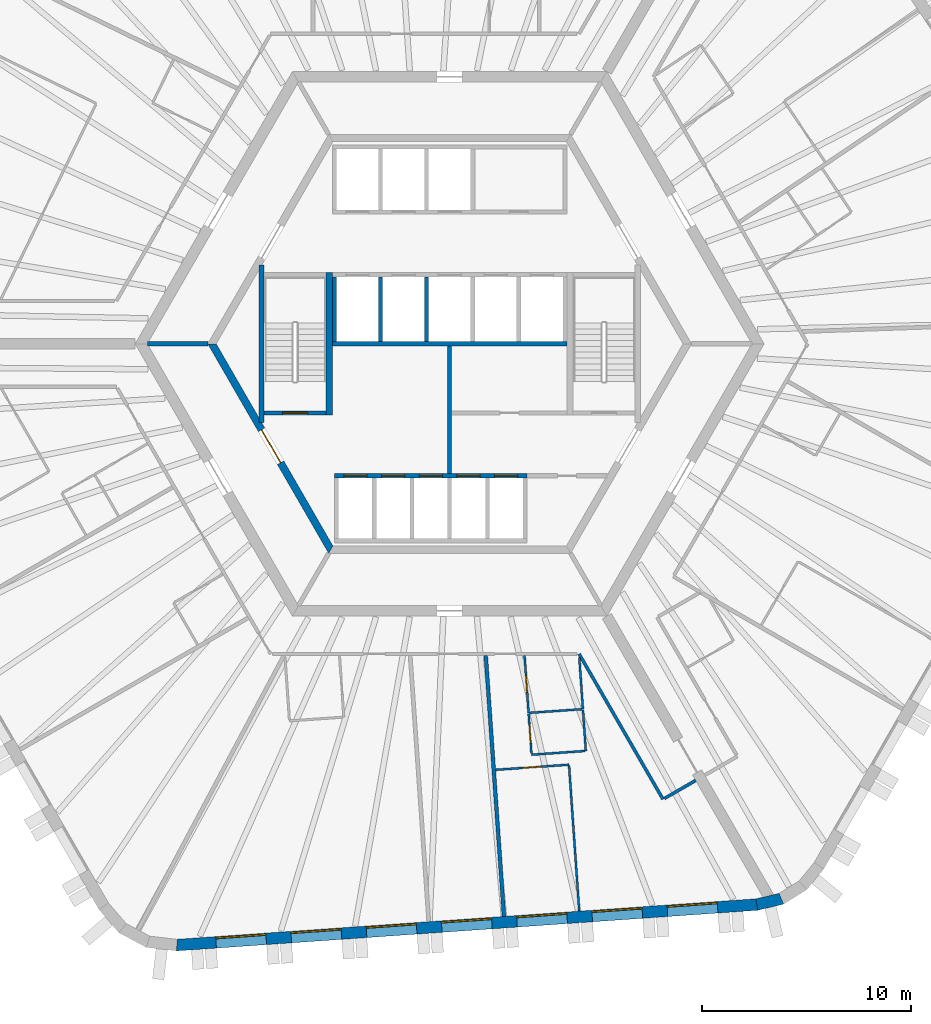
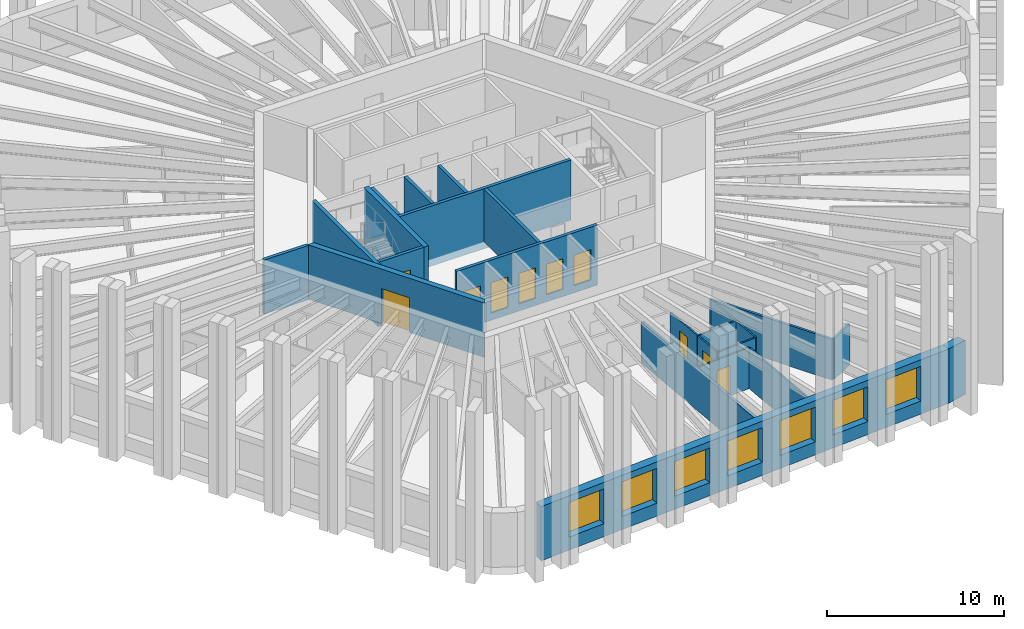
# One storey, part 4 of 10: 24 walls, 10 doors, 7 windows, 17 openings.
"""IFC4 building model written with IfcOpenShell, lengths in metres."""

import ifcopenshell
import ifcopenshell.guid

model = None  # the IFC model being written
_history = None  # IfcOwnerHistory: only IFC2X3 demands one
_inside = {}  # id of a spatial element -> (the spatial element, [elements in it])
_under = {}  # id of a project, library or spatial element -> (it, [spatial elements below it])
_declared = {}  # id of a project -> (the project, [libraries it declares])
_typed = {}  # id of a type object -> (the type object, [elements of that type])
_made_of = {}  # id of a material, layer set ... -> (it, [elements and type objects made of it])


def new_model(schema):
    """Start an empty IFC model of exactly this schema.

    Asked for "IFC4X3", IfcOpenShell would pick the latest addendum, in which some entities
    have other attributes; the version numbers below select the first issue.
    IFC2X3 requires an IfcOwnerHistory on every rooted entity: one is made here for all.
    """
    global model, _history
    if schema == "IFC4X3":
        model = ifcopenshell.file(schema_version=(4, 3, 0, 0))
    else:
        model = ifcopenshell.file(schema=schema)
    _inside.clear()
    _under.clear()
    _declared.clear()
    _typed.clear()
    _made_of.clear()
    _history = None
    if model.schema == "IFC2X3":
        org = make("IfcOrganization", Name="unknown")
        user = make(
            "IfcPersonAndOrganization",
            ThePerson=make("IfcPerson", FamilyName="unknown"),
            TheOrganization=org,
        )
        app = make(
            "IfcApplication",
            ApplicationDeveloper=org,
            Version="unknown",
            ApplicationFullName="unknown",
            ApplicationIdentifier="unknown",
        )
        _history = make(
            "IfcOwnerHistory",
            OwningUser=user,
            OwningApplication=app,
            ChangeAction="ADDED",
            CreationDate=0,
        )
    return model


def make(cls, **values):
    """One entity of the class cls with the attributes given. An attribute that is None is left unset."""
    return model.create_entity(
        cls, **{name: value for name, value in values.items() if value is not None}
    )


def rooted(cls, **values):
    """An entity with a GlobalId (a new one), such as an element, a storey or a relation."""
    return make(cls, GlobalId=ifcopenshell.guid.new(), OwnerHistory=_history, **values)


def si_unit(unit_type, name, prefix=None):
    """IfcSIUnit, for example si_unit("LENGTHUNIT", "METRE", prefix="MILLI")."""
    return make("IfcSIUnit", UnitType=unit_type, Prefix=prefix, Name=name)


def assignment(units):
    """IfcUnitAssignment: the units of a project."""
    return None if units is None else make("IfcUnitAssignment", Units=units)


def point(xyz):
    """IfcCartesianPoint."""
    return None if xyz is None else make("IfcCartesianPoint", Coordinates=xyz)


def direction(xyz):
    """IfcDirection."""
    return None if xyz is None else make("IfcDirection", DirectionRatios=xyz)


def frame(location, z_axis=None, x_axis=None):
    """IfcAxis2Placement3D, a coordinate frame: its origin and axes. An axis left out is left unset."""
    return make(
        "IfcAxis2Placement3D",
        Location=point(location),
        Axis=direction(z_axis),
        RefDirection=direction(x_axis),
    )


def frame_2d(location, x_axis=None):
    """IfcAxis2Placement2D, a coordinate frame in the plane: its origin and x axis."""
    return make(
        "IfcAxis2Placement2D", Location=point(location), RefDirection=direction(x_axis)
    )


def origin():
    """The frame at (0, 0, 0) with its axes left unset."""
    return frame((0.0, 0.0, 0.0))


def place(relative_to, where):
    """IfcLocalPlacement: puts the frame where relative to a parent placement (None: the world)."""
    return make(
        "IfcLocalPlacement", PlacementRelTo=relative_to, RelativePlacement=where
    )


def context(
    kind, dimensions, precision=None, world=None, true_north=None, identifier=None
):
    """IfcGeometricRepresentationContext, for example the 3D "Model" context."""
    return make(
        "IfcGeometricRepresentationContext",
        ContextIdentifier=identifier,
        ContextType=kind,
        CoordinateSpaceDimension=dimensions,
        Precision=precision,
        WorldCoordinateSystem=world,
        TrueNorth=true_north,
    )


def subcontext(parent, identifier, kind, view, scale=None):
    """IfcGeometricRepresentationSubContext, for example "Body" below "Model"."""
    return make(
        "IfcGeometricRepresentationSubContext",
        ContextIdentifier=identifier,
        ContextType=kind,
        ParentContext=parent,
        TargetScale=scale,
        TargetView=view,
    )


def project(units=None, contexts=None):
    """IfcProject with its units and contexts."""
    return rooted(
        "IfcProject",
        Name="project",
        RepresentationContexts=contexts,
        UnitsInContext=assignment(units),
    )


def spatial(cls, under=None, at=None, **own):
    """A site, building, storey or space (cls), placed at a placement, below another one or the project."""
    s = rooted(cls, ObjectPlacement=at, **own)
    if under is not None:
        _under.setdefault(under.id(), (under, []))[1].append(s)
    return s


def polyline(points):
    """IfcPolyline through the points."""
    return make("IfcPolyline", Points=[point(p) for p in points])


def profile(cls, at=None, kind="AREA", **sizes):
    """A parametric profile (cls). Its sizes go by their IFC names, for example OverallWidth=200.0."""
    return make(cls, ProfileType=kind, Position=at, **sizes)


def rectangle(**sizes):
    """IfcRectangleProfileDef."""
    return profile("IfcRectangleProfileDef", **sizes)


def outline(outer, holes=None, kind="AREA"):
    """IfcArbitraryClosedProfileDef: a profile drawn as a closed curve; with holes, ...WithVoids."""
    if holes is None:
        return make("IfcArbitraryClosedProfileDef", ProfileType=kind, OuterCurve=outer)
    return make(
        "IfcArbitraryProfileDefWithVoids",
        ProfileType=kind,
        OuterCurve=outer,
        InnerCurves=holes,
    )


def extrude(swept, where, along, depth):
    """IfcExtrudedAreaSolid: the profile swept, set in the frame where, extruded along a direction by depth."""
    return make(
        "IfcExtrudedAreaSolid",
        SweptArea=swept,
        Position=where,
        ExtrudedDirection=direction(along),
        Depth=depth,
    )


def shape(context_of_items, identifier, shape_type, items):
    """IfcShapeRepresentation: the items that make up one representation, for example the "Body"."""
    return make(
        "IfcShapeRepresentation",
        ContextOfItems=context_of_items,
        RepresentationIdentifier=identifier,
        RepresentationType=shape_type,
        Items=items,
    )


def material(Name=None, Category=None):
    """IfcMaterial."""
    return make("IfcMaterial", Name=Name, Category=Category)


def layer(
    of_material, thickness, ventilated=None, Name=None, Category=None, Priority=None
):
    """IfcMaterialLayer: one layer of a wall or slab, of a material (None: an air gap)."""
    return make(
        "IfcMaterialLayer",
        Material=of_material,
        LayerThickness=thickness,
        IsVentilated=ventilated,
        Name=Name,
        Category=Category,
        Priority=Priority,
    )


def layer_set(layers, Name=None):
    """IfcMaterialLayerSet."""
    return make("IfcMaterialLayerSet", MaterialLayers=layers, LayerSetName=Name)


def made_of(thing, what):
    """Note that an element or type object is made of a material, layer set ...; save() writes the relation."""
    if what is not None:
        _made_of.setdefault(what.id(), (what, []))[1].append(thing)
    return thing


def type_object(cls, material=None, **own):
    """A type object (cls), such as IfcWallType, which elements share."""
    return made_of(rooted(cls, **own), material)


def element(
    cls,
    number,
    at=None,
    inside=None,
    cuts=None,
    type_object=None,
    material=None,
    context=None,
    identifier="Body",
    shape_type=None,
    held_by="IfcProductDefinitionShape",
    body=None,
    shapes=None,
    **own,
):
    """One element of the class cls, such as IfcWall. Its Tag is "e" and its number.

    at: its placement. inside: the storey or other place that contains it. cuts: it is an
    opening in that element (IfcRelVoidsElement). A single representation is given by context,
    identifier, shape_type and body (its items); several are given by shapes. held_by: the class
    of the entity that holds the representations. save() writes the other relations.
    """
    e = rooted(cls, Tag="e%d" % number, ObjectPlacement=at, **own)
    if body is not None:
        shapes = [shape(context, identifier, shape_type, body)]
    if shapes is not None:
        e.Representation = make(held_by, Representations=shapes)
    if inside is not None:
        _inside.setdefault(inside.id(), (inside, []))[1].append(e)
    if cuts is not None:
        rooted(
            "IfcRelVoidsElement", RelatingBuildingElement=cuts, RelatedOpeningElement=e
        )
    if type_object is not None:
        _typed.setdefault(type_object.id(), (type_object, []))[1].append(e)
    return made_of(e, material)


def fill(opening, filler):
    """IfcRelFillsElement: the door or window that sits in an opening."""
    return rooted(
        "IfcRelFillsElement",
        RelatingOpeningElement=opening,
        RelatedBuildingElement=filler,
    )


def aggregate(whole, parts):
    """IfcRelAggregates: a whole, such as a stair, and the parts it consists of."""
    return rooted("IfcRelAggregates", RelatingObject=whole, RelatedObjects=parts)


def save(model, path):
    """Write the relations noted so far, then the file.

    IfcRelAggregates (storeys below a building ...), IfcRelContainedInSpatialStructure (elements
    in a storey), IfcRelDefinesByType, IfcRelAssociatesMaterial and IfcRelDeclares: one each for
    every whole, place, type object, material and project.
    """
    for whole, parts in _under.values():
        aggregate(whole, parts)
    for where, things in _inside.values():
        rooted(
            "IfcRelContainedInSpatialStructure",
            RelatedElements=things,
            RelatingStructure=where,
        )
    for kind, things in _typed.values():
        rooted("IfcRelDefinesByType", RelatedObjects=things, RelatingType=kind)
    for what, things in _made_of.values():
        rooted("IfcRelAssociatesMaterial", RelatedObjects=things, RelatingMaterial=what)
    for by, libraries in _declared.values():
        rooted("IfcRelDeclares", RelatingContext=by, RelatedDefinitions=libraries)
    model.write(path)


model = new_model("IFC4")

# Units and contexts
model_context = context("Model", 3, precision=1e-05, world=origin(), true_north=direction((0.0, 1.0)))
body_context = subcontext(model_context, "Body", "Model", "MODEL_VIEW")
ifc_project = project(units=[si_unit("LENGTHUNIT", "METRE"), si_unit("AREAUNIT", "SQUARE_METRE"), si_unit("VOLUMEUNIT", "CUBIC_METRE"), si_unit("PLANEANGLEUNIT", "RADIAN"), si_unit("MASSUNIT", "GRAM", prefix="KILO")], contexts=[model_context])

# Site, building, storey
site_placement = place(None, origin())
site = spatial("IfcSite", under=ifc_project, at=site_placement, CompositionType="ELEMENT")
building_placement = place(site_placement, origin())
building = spatial("IfcBuilding", under=site, at=building_placement, Name="Tarnside Tower", CompositionType="ELEMENT")
storey_placement = place(building_placement, frame((0.0, 0.0, 152.699951171875)))
storey = spatial("IfcBuildingStorey", under=building, at=storey_placement, Name="L35", CompositionType="ELEMENT", Elevation=152.699951171875)

# Wall, opening, door
ifc_material_1 = material(Name="Gypsum board partition on steel studs", Category="steel")
ifc_layer_1 = layer(ifc_material_1, 0.10009765625)
ifc_layer_set_1 = layer_set([ifc_layer_1], Name="Bathroom wall 100")
wall_type_1 = type_object("IfcWallType", Name="Bathroom wall 100", PredefinedType="PARTITIONING", material=ifc_layer_set_1)
wall_1_placement = place(storey_placement, frame((3.7685546875, -17.619384765625, 0.0), z_axis=(0.0, 0.0, 1.0), x_axis=(-0.06975229722, 0.997564342302, 0.0)))
wall_1 = element("IfcWall", 1, at=wall_1_placement, inside=storey, type_object=wall_type_1, Name="Bathroom wall 11086", PredefinedType="PARTITIONING", context=body_context, shape_type="SweptSolid", body=[
    extrude(rectangle(XDim=2.7509765625, YDim=0.10009765625, at=frame_2d((1.37548828125, 0.0))), origin(), (0.0, 0.0, 1.0), 2.823486328125),
])
opening_1_placement = place(wall_1_placement, frame((1.0, 0.0, 0.0)))
opening_1 = element("IfcOpeningElement", 2, at=opening_1_placement, cuts=wall_1, Name="Opening D-B1", PredefinedType="OPENING", context=body_context, shape_type="SweptSolid", body=[
    extrude(rectangle(XDim=0.800048828125, YDim=2.10009765625, at=frame_2d((0.39990234375, 1.050048828125))), frame((0.0, 0.06005859375, 0.0), z_axis=(0.0, -1.0, 0.0), x_axis=(1.0, 0.0, 0.0)), (0.0, 0.0, 1.0), 0.1201171875),
])
ifc_material_2 = material(Name="Timber door leaf", Category="wood")
door_type_1 = type_object("IfcDoorType", Name="Bathroom door 800", OperationType="NOTDEFINED", PredefinedType="DOOR", material=ifc_material_2)
door_1_placement = place(opening_1_placement, origin())
door_1 = element("IfcDoor", 3, at=door_1_placement, inside=storey, type_object=door_type_1, Name="Bathroom door 11022", OperationType="SINGLE_SWING_RIGHT", OverallHeight=2.10009765625, OverallWidth=0.800048828125, PredefinedType="DOOR", context=body_context, shape_type="SweptSolid", body=[
    extrude(rectangle(XDim=0.800048828125, YDim=2.10009765625, at=frame_2d((0.39990234375, 1.050048828125))), frame((0.0, 0.02490234375, 0.0), z_axis=(0.0, -1.0, 0.0), x_axis=(1.0, 0.0, 0.0)), (0.0, 0.0, 1.0), 0.050048828125),
])
fill(opening_1, door_1)

# Walls
wall_2_placement = place(storey_placement, frame((6.189697265625, -14.970703125, 0.0), z_axis=(0.0, 0.0, 1.0), x_axis=(0.069689641529, -0.997568721374, 0.0)))
element("IfcWall", 4, at=wall_2_placement, inside=storey, type_object=wall_type_1, Name="Bathroom wall 11087", PredefinedType="PARTITIONING", context=body_context, shape_type="SweptSolid", body=[
    extrude(rectangle(XDim=2.473388671875, YDim=0.10009765625, at=frame_2d((1.23681640625, 0.0))), origin(), (0.0, 0.0, 1.0), 2.823486328125),
])
wall_3_placement = place(storey_placement, frame((3.818359375, -17.615966796875, 0.0), z_axis=(0.0, 0.0, 1.0), x_axis=(0.99755930726, 0.069824268692, 0.0)))
element("IfcWall", 5, at=wall_3_placement, inside=storey, type_object=wall_type_1, Name="Bathroom wall 11093", PredefinedType="PARTITIONING", context=body_context, shape_type="SweptSolid", body=[
    extrude(rectangle(XDim=2.5, YDim=0.10009765625, at=frame_2d((1.25, 0.0))), origin(), (0.0, 0.0, 1.0), 2.823486328125),
])

# Wall, opening, door
ifc_material_3 = material(Name="Concrete C50/60", Category="concrete")
ifc_layer_2 = layer(ifc_material_3, 0.35009765625)
ifc_layer_set_2 = layer_set([ifc_layer_2], Name="Core block wall 350 C50/60")
wall_type_2 = type_object("IfcWallType", Name="Core block wall 350 C50/60", PredefinedType="SHEAR", material=ifc_layer_set_2)
wall_4_placement = place(storey_placement, frame((-11.344970703125, 0.0, 0.0), z_axis=(0.0, 0.0, 1.0), x_axis=(0.499995046907, -0.866028263435, 0.0)))
wall_4 = element("IfcWall", 6, at=wall_4_placement, inside=storey, type_object=wall_type_2, Name="L35 core block wall face 3", PredefinedType="SHEAR", context=body_context, shape_type="SweptSolid", body=[
    extrude(outline(polyline([(-0.10107421875, -0.175048828125), (11.44580078125, -0.175048828125), (11.24365234375, 0.175048828125), (0.10107421875, 0.175048828125), (-0.10107421875, -0.175048828125)])), origin(), (0.0, 0.0, 1.0), 3.75),
])
opening_2_placement = place(wall_4_placement, frame((4.74365234375, 0.0, 0.0)))
opening_2 = element("IfcOpeningElement", 7, at=opening_2_placement, cuts=wall_4, Name="Opening CD-FFL", PredefinedType="OPENING", context=body_context, shape_type="SweptSolid", body=[
    extrude(rectangle(XDim=1.800048828125, YDim=2.39990234375, at=frame_2d((0.89990234375, 1.199951171875))), frame((0.0, 0.18505859375, 0.0), z_axis=(0.0, -1.0, 0.0), x_axis=(1.0, 0.0, 0.0)), (0.0, 0.0, 1.0), 0.3701171875),
])
ifc_material_4 = material(Name="Steel fire door", Category="steel")
door_type_2 = type_object("IfcDoorType", Name="Firefighting lobby double door FD60S 1800x2400", OperationType="NOTDEFINED", PredefinedType="DOOR", material=ifc_material_4)
door_2_placement = place(opening_2_placement, origin())
door_2 = element("IfcDoor", 8, at=door_2_placement, inside=storey, type_object=door_type_2, Name="L35 lobby block door P3", OperationType="DOUBLE_DOOR_SINGLE_SWING", OverallHeight=2.39990234375, OverallWidth=1.800048828125, PredefinedType="DOOR", context=body_context, shape_type="SweptSolid", body=[
    extrude(rectangle(XDim=1.800048828125, YDim=2.39990234375, at=frame_2d((0.89990234375, 1.199951171875))), frame((0.0, 0.02490234375, 0.0), z_axis=(0.0, -1.0, 0.0), x_axis=(1.0, 0.0, 0.0)), (0.0, 0.0, 1.0), 0.050048828125),
])
fill(opening_2, door_2)

# Walls
ifc_material_5 = material(Name="Concrete C40/50", Category="concrete")
ifc_layer_3 = layer(ifc_material_5, 0.199951171875)
ifc_layer_set_3 = layer_set([ifc_layer_3], Name="Core room partition 200 C40/50")
wall_type_3 = type_object("IfcWallType", Name="Core room partition 200 C40/50", PredefinedType="PARTITIONING", material=ifc_layer_set_3)
wall_5_placement = place(storey_placement, frame((0.0, -6.199951171875, 0.0), z_axis=(0.0, 0.0, 1.0), x_axis=(0.0, 1.0, 0.0)))
element("IfcWall", 9, at=wall_5_placement, inside=storey, type_object=wall_type_3, Name="L35 core partition X0", PredefinedType="PARTITIONING", context=body_context, shape_type="SweptSolid", body=[
    extrude(rectangle(XDim=6.099853515625, YDim=0.199951171875, at=frame_2d((3.0498046875, 0.0))), origin(), (0.0, 0.0, 1.0), 3.650146484375),
])
ifc_layer_4 = layer(ifc_material_1, 0.14990234375)
ifc_layer_set_4 = layer_set([ifc_layer_4], Name="Corridor wall 150 EI 60")
wall_type_4 = type_object("IfcWallType", Name="Corridor wall 150 EI 60", PredefinedType="PARTITIONING", material=ifc_layer_set_4)
wall_6_placement = place(storey_placement, frame((6.177734375, -14.800048828125, 0.0), z_axis=(0.0, 0.0, 1.0), x_axis=(0.499984309814, -0.866034462328, 0.0)))
element("IfcWall", 10, at=wall_6_placement, inside=storey, type_object=wall_type_4, Name="Corridor wall 11029", PredefinedType="PARTITIONING", context=body_context, shape_type="SweptSolid", body=[
    extrude(rectangle(XDim=8.016845703125, YDim=0.14990234375, at=frame_2d((4.00830078125, 0.0))), origin(), (0.0, 0.0, 1.0), 2.823486328125),
])
wall_7_placement = place(storey_placement, frame((10.2509765625, -21.705322265625, 0.0), z_axis=(0.0, 0.0, 1.0), x_axis=(0.866013532718, 0.500020560727, 0.0)))
element("IfcWall", 11, at=wall_7_placement, inside=storey, type_object=wall_type_4, Name="Corridor wall 11030", PredefinedType="PARTITIONING", context=body_context, shape_type="SweptSolid", body=[
    extrude(rectangle(XDim=1.72509765625, YDim=0.14990234375, at=frame_2d((0.862548828125, 0.0))), origin(), (0.0, 0.0, 1.0), 2.823486328125),
])
ifc_layer_5 = layer(ifc_material_1, 0.179931640625)
ifc_layer_set_5 = layer_set([ifc_layer_5], Name="Demising wall 180 EI 60")
wall_type_5 = type_object("IfcWallType", Name="Demising wall 180 EI 60", PredefinedType="PARTITIONING", material=ifc_layer_set_5)
wall_8_placement = place(storey_placement, frame((2.59521484375, -27.33544921875, 0.0), z_axis=(0.0, 0.0, 1.0), x_axis=(-0.069757939761, 0.997563947745, 0.0)))
element("IfcWall", 12, at=wall_8_placement, inside=storey, type_object=wall_type_5, Name="Demising wall 11084", PredefinedType="PARTITIONING", context=body_context, shape_type="SweptSolid", body=[
    extrude(rectangle(XDim=12.490966796875, YDim=0.179931640625, at=frame_2d((6.24560546875, 0.0))), origin(), (0.0, 0.0, 1.0), 2.823486328125),
])
ifc_layer_6 = layer(ifc_material_5, 0.199951171875)
ifc_layer_set_6 = layer_set([ifc_layer_6], Name="Lift shaft wall 200 C40/50")
wall_type_6 = type_object("IfcWallType", Name="Lift shaft wall 200 C40/50", PredefinedType="SHEAR", material=ifc_layer_set_6)
wall_9_placement = place(storey_placement, frame((-5.60009765625, 0.0, -0.5), z_axis=(0.0, 0.0, 1.0), x_axis=(1.0, 0.0, 0.0)))
element("IfcWall", 13, at=wall_9_placement, inside=storey, type_object=wall_type_6, Name="L35 lift shaft back wall R2", PredefinedType="SHEAR", context=body_context, shape_type="SweptSolid", body=[
    extrude(rectangle(XDim=11.2001953125, YDim=0.199951171875, at=frame_2d((5.60009765625, 0.0))), origin(), (0.0, 0.0, 1.0), 4.150146484375),
])
for number, where, z_axis, x_axis, name in (
    (14, (-5.5, 0.10009765625, -0.5), (0.0, 0.0, 1.0), (0.0, 1.0, 0.0), "L35 lift shaft partition R21"),
    (15, (-3.300048828125, 0.10009765625, -0.5), (0.0, 0.0, 1.0), (0.0, 1.0, 0.0), "L35 lift shaft partition R22"),
    (16, (-1.10009765625, 0.10009765625, -0.5), (0.0, 0.0, 1.0), (0.0, 1.0, 0.0), "L35 lift shaft partition R23"),
):
    element("IfcWall", number, at=place(storey_placement, frame(where, z_axis=z_axis, x_axis=x_axis)), inside=storey, type_object=wall_type_6, Name=name, PredefinedType="SHEAR", context=body_context, shape_type="SweptSolid", body=[
        extrude(rectangle(XDim=3.099853515625, YDim=0.199951171875, at=frame_2d((1.5498046875, 0.0))), origin(), (0.0, 0.0, 1.0), 4.150146484375),
    ])

# Wall, openings, doors
wall_10_placement = place(storey_placement, frame((-5.5, -6.300048828125, -0.5), z_axis=(0.0, 0.0, 1.0), x_axis=(1.0, 0.0, 0.0)))
wall_10 = element("IfcWall", 17, at=wall_10_placement, inside=storey, type_object=wall_type_6, Name="L35 lift shaft front wall R4", PredefinedType="SHEAR", context=body_context, shape_type="SweptSolid", body=[
    extrude(rectangle(XDim=9.199951171875, YDim=0.199951171875, at=frame_2d((4.60009765625, 0.0))), origin(), (0.0, 0.0, 1.0), 4.150146484375),
])
opening_3_placement = place(wall_10_placement, frame((0.449951171875, 0.0, 0.5)))
opening_3 = element("IfcOpeningElement", 18, at=opening_3_placement, cuts=wall_10, Name="Opening LDF", PredefinedType="OPENING", context=body_context, shape_type="SweptSolid", body=[
    extrude(rectangle(XDim=1.10009765625, YDim=2.10009765625, at=frame_2d((0.550048828125, 1.050048828125))), frame((0.0, 0.10986328125, 0.0), z_axis=(0.0, -1.0, 0.0), x_axis=(1.0, 0.0, 0.0)), (0.0, 0.0, 1.0), 0.219970703125),
])
opening_4_placement = place(wall_10_placement, frame((2.25, 0.0, 0.5)))
opening_4 = element("IfcOpeningElement", 19, at=opening_4_placement, cuts=wall_10, Name="Opening LDF", PredefinedType="OPENING", context=body_context, shape_type="SweptSolid", body=[
    extrude(rectangle(XDim=1.10009765625, YDim=2.10009765625, at=frame_2d((0.550048828125, 1.050048828125))), frame((0.0, 0.10986328125, 0.0), z_axis=(0.0, -1.0, 0.0), x_axis=(1.0, 0.0, 0.0)), (0.0, 0.0, 1.0), 0.219970703125),
])
opening_5_placement = place(wall_10_placement, frame((4.050048828125, 0.0, 0.5)))
opening_5 = element("IfcOpeningElement", 20, at=opening_5_placement, cuts=wall_10, Name="Opening LDF", PredefinedType="OPENING", context=body_context, shape_type="SweptSolid", body=[
    extrude(rectangle(XDim=1.10009765625, YDim=2.10009765625, at=frame_2d((0.550048828125, 1.050048828125))), frame((0.0, 0.10986328125, 0.0), z_axis=(0.0, -1.0, 0.0), x_axis=(1.0, 0.0, 0.0)), (0.0, 0.0, 1.0), 0.219970703125),
])
opening_6_placement = place(wall_10_placement, frame((5.85009765625, 0.0, 0.5)))
opening_6 = element("IfcOpeningElement", 21, at=opening_6_placement, cuts=wall_10, Name="Opening LDF", PredefinedType="OPENING", context=body_context, shape_type="SweptSolid", body=[
    extrude(rectangle(XDim=1.10009765625, YDim=2.10009765625, at=frame_2d((0.550048828125, 1.050048828125))), frame((0.0, 0.10986328125, 0.0), z_axis=(0.0, -1.0, 0.0), x_axis=(1.0, 0.0, 0.0)), (0.0, 0.0, 1.0), 0.219970703125),
])
opening_7_placement = place(wall_10_placement, frame((7.64990234375, 0.0, 0.5)))
opening_7 = element("IfcOpeningElement", 22, at=opening_7_placement, cuts=wall_10, Name="Opening LDF", PredefinedType="OPENING", context=body_context, shape_type="SweptSolid", body=[
    extrude(rectangle(XDim=1.10009765625, YDim=2.10009765625, at=frame_2d((0.550048828125, 1.050048828125))), frame((0.0, 0.10986328125, 0.0), z_axis=(0.0, -1.0, 0.0), x_axis=(1.0, 0.0, 0.0)), (0.0, 0.0, 1.0), 0.219970703125),
])
ifc_material_6 = material(Name="Stainless steel", Category="steel")
door_type_3 = type_object("IfcDoorType", Name="Lift landing door 1100x2100 EI 120", OperationType="NOTDEFINED", PredefinedType="DOOR", material=ifc_material_6)
door_3_placement = place(opening_3_placement, origin())
door_3 = element("IfcDoor", 23, at=door_3_placement, inside=storey, type_object=door_type_3, Name="Firefighting lift 1 landing door L35", OperationType="SLIDING_TO_LEFT", OverallHeight=2.10009765625, OverallWidth=1.10009765625, PredefinedType="DOOR", context=body_context, shape_type="SweptSolid", body=[
    extrude(rectangle(XDim=1.10009765625, YDim=2.10009765625, at=frame_2d((0.550048828125, 1.050048828125))), frame((0.0, 0.02490234375, 0.0), z_axis=(0.0, -1.0, 0.0), x_axis=(1.0, 0.0, 0.0)), (0.0, 0.0, 1.0), 0.050048828125),
])
fill(opening_3, door_3)
door_4_placement = place(opening_4_placement, origin())
door_4 = element("IfcDoor", 24, at=door_4_placement, inside=storey, type_object=door_type_3, Name="Firefighting lift 2 landing door L35", OperationType="SLIDING_TO_LEFT", OverallHeight=2.10009765625, OverallWidth=1.10009765625, PredefinedType="DOOR", context=body_context, shape_type="SweptSolid", body=[
    extrude(rectangle(XDim=1.10009765625, YDim=2.10009765625, at=frame_2d((0.550048828125, 1.050048828125))), frame((0.0, 0.02490234375, 0.0), z_axis=(0.0, -1.0, 0.0), x_axis=(1.0, 0.0, 0.0)), (0.0, 0.0, 1.0), 0.050048828125),
])
fill(opening_4, door_4)
door_5_placement = place(opening_5_placement, origin())
door_5 = element("IfcDoor", 25, at=door_5_placement, inside=storey, type_object=door_type_3, Name="Firefighting lift 3 landing door L35", OperationType="SLIDING_TO_LEFT", OverallHeight=2.10009765625, OverallWidth=1.10009765625, PredefinedType="DOOR", context=body_context, shape_type="SweptSolid", body=[
    extrude(rectangle(XDim=1.10009765625, YDim=2.10009765625, at=frame_2d((0.550048828125, 1.050048828125))), frame((0.0, 0.02490234375, 0.0), z_axis=(0.0, -1.0, 0.0), x_axis=(1.0, 0.0, 0.0)), (0.0, 0.0, 1.0), 0.050048828125),
])
fill(opening_5, door_5)
door_6_placement = place(opening_6_placement, origin())
door_6 = element("IfcDoor", 26, at=door_6_placement, inside=storey, type_object=door_type_3, Name="Firefighting lift 4 landing door L35", OperationType="SLIDING_TO_LEFT", OverallHeight=2.10009765625, OverallWidth=1.10009765625, PredefinedType="DOOR", context=body_context, shape_type="SweptSolid", body=[
    extrude(rectangle(XDim=1.10009765625, YDim=2.10009765625, at=frame_2d((0.550048828125, 1.050048828125))), frame((0.0, 0.02490234375, 0.0), z_axis=(0.0, -1.0, 0.0), x_axis=(1.0, 0.0, 0.0)), (0.0, 0.0, 1.0), 0.050048828125),
])
fill(opening_6, door_6)
door_7_placement = place(opening_7_placement, origin())
door_7 = element("IfcDoor", 27, at=door_7_placement, inside=storey, type_object=door_type_3, Name="Firefighting lift 5 landing door L35", OperationType="SLIDING_TO_LEFT", OverallHeight=2.10009765625, OverallWidth=1.10009765625, PredefinedType="DOOR", context=body_context, shape_type="SweptSolid", body=[
    extrude(rectangle(XDim=1.10009765625, YDim=2.10009765625, at=frame_2d((0.550048828125, 1.050048828125))), frame((0.0, 0.02490234375, 0.0), z_axis=(0.0, -1.0, 0.0), x_axis=(1.0, 0.0, 0.0)), (0.0, 0.0, 1.0), 0.050048828125),
])
fill(opening_7, door_7)

# Wall
wall_11_placement = place(storey_placement, frame((-11.547119140625, 0.0, 0.0), z_axis=(0.0, 0.0, 1.0), x_axis=(-1.0, 0.0, 0.0)))
element("IfcWall", 28, at=wall_11_placement, inside=storey, type_object=wall_type_6, Name="L35 core partition AR180", PredefinedType="SHEAR", context=body_context, shape_type="SweptSolid", body=[
    extrude(rectangle(XDim=2.88671875, YDim=0.199951171875, at=frame_2d((1.443359375, 0.0))), origin(), (0.0, 0.0, 1.0), 3.75),
])

# Wall, opening, door
wall_12_placement = place(storey_placement, frame((-8.85009765625, -3.300048828125, -0.5), z_axis=(0.0, 0.0, 1.0), x_axis=(1.0, 0.0, 0.0)))
wall_12 = element("IfcWall", 29, at=wall_12_placement, inside=storey, type_object=wall_type_6, Name="L35 stair 2 enclosure cap wall s", PredefinedType="SHEAR", context=body_context, shape_type="SweptSolid", body=[
    extrude(rectangle(XDim=2.9501953125, YDim=0.199951171875, at=frame_2d((1.47509765625, 0.0))), origin(), (0.0, 0.0, 1.0), 4.150146484375),
])
opening_8_placement = place(wall_12_placement, frame((0.875, 0.0, 0.5)))
opening_8 = element("IfcOpeningElement", 30, at=opening_8_placement, cuts=wall_12, Name="Opening CD-STR", PredefinedType="OPENING", context=body_context, shape_type="SweptSolid", body=[
    extrude(rectangle(XDim=1.199951171875, YDim=2.39990234375, at=frame_2d((0.60009765625, 1.199951171875))), frame((0.0, 0.10986328125, 0.0), z_axis=(0.0, -1.0, 0.0), x_axis=(1.0, 0.0, 0.0)), (0.0, 0.0, 1.0), 0.219970703125),
])
door_type_4 = type_object("IfcDoorType", Name="Stair door FD60S 1200x2400", OperationType="NOTDEFINED", PredefinedType="DOOR", material=ifc_material_4)
door_8_placement = place(opening_8_placement, origin())
door_8 = element("IfcDoor", 31, at=door_8_placement, inside=storey, type_object=door_type_4, Name="L35 stair 2 door", OperationType="SINGLE_SWING_LEFT", OverallHeight=2.39990234375, OverallWidth=1.199951171875, PredefinedType="DOOR", context=body_context, shape_type="SweptSolid", body=[
    extrude(rectangle(XDim=1.199951171875, YDim=2.39990234375, at=frame_2d((0.60009765625, 1.199951171875))), frame((0.0, 0.02490234375, 0.0), z_axis=(0.0, -1.0, 0.0), x_axis=(1.0, 0.0, 0.0)), (0.0, 0.0, 1.0), 0.050048828125),
])
fill(opening_8, door_8)

# Walls
ifc_layer_7 = layer(ifc_material_1, 0.10009765625)
ifc_layer_set_7 = layer_set([ifc_layer_7], Name="Partition 100")
wall_type_7 = type_object("IfcWallType", Name="Partition 100", PredefinedType="PARTITIONING", material=ifc_layer_set_7)
wall_13_placement = place(storey_placement, frame((6.36572265625, -17.488037109375, 0.0), z_axis=(0.0, 0.0, 1.0), x_axis=(0.069743152354, -0.997564981693, 0.0)))
element("IfcWall", 32, at=wall_13_placement, inside=storey, type_object=wall_type_7, Name="Partition wall 11088", PredefinedType="PARTITIONING", context=body_context, shape_type="SweptSolid", body=[
    extrude(rectangle(XDim=1.94970703125, YDim=0.10009765625, at=frame_2d((0.974853515625, 0.0))), origin(), (0.0, 0.0, 1.0), 2.823486328125),
])
wall_14_placement = place(storey_placement, frame((6.45166015625, -19.436767578125, 0.0), z_axis=(0.0, 0.0, 1.0), x_axis=(-0.997567829494, -0.069702407128, 0.0)))
element("IfcWall", 33, at=wall_14_placement, inside=storey, type_object=wall_type_7, Name="Partition wall 11089", PredefinedType="PARTITIONING", context=body_context, shape_type="SweptSolid", body=[
    extrude(rectangle(XDim=2.5498046875, YDim=0.10009765625, at=frame_2d((1.27490234375, 0.0))), origin(), (0.0, 0.0, 1.0), 2.823486328125),
])

# Wall, opening, door
wall_15_placement = place(storey_placement, frame((3.904541015625, -19.564697265625, 0.0), z_axis=(0.0, 0.0, 1.0), x_axis=(-0.069767755139, 0.997563261324, 0.0)))
wall_15 = element("IfcWall", 34, at=wall_15_placement, inside=storey, type_object=wall_type_7, Name="Partition wall 11090", PredefinedType="PARTITIONING", context=body_context, shape_type="SweptSolid", body=[
    extrude(rectangle(XDim=1.900146484375, YDim=0.10009765625, at=frame_2d((0.9501953125, 0.0))), origin(), (0.0, 0.0, 1.0), 2.823486328125),
])
opening_9_placement = place(wall_15_placement, frame((0.5, 0.0, 0.0)))
opening_9 = element("IfcOpeningElement", 35, at=opening_9_placement, cuts=wall_15, Name="Opening D-I1", PredefinedType="OPENING", context=body_context, shape_type="SweptSolid", body=[
    extrude(rectangle(XDim=0.89990234375, YDim=2.10009765625, at=frame_2d((0.449951171875, 1.050048828125))), frame((0.0, 0.06005859375, 0.0), z_axis=(0.0, -1.0, 0.0), x_axis=(1.0, 0.0, 0.0)), (0.0, 0.0, 1.0), 0.1201171875),
])
door_type_5 = type_object("IfcDoorType", Name="Internal door 900", OperationType="NOTDEFINED", PredefinedType="DOOR", material=ifc_material_2)
door_9_placement = place(opening_9_placement, origin())
door_9 = element("IfcDoor", 36, at=door_9_placement, inside=storey, type_object=door_type_5, Name="Internal door 11023", OperationType="SINGLE_SWING_RIGHT", OverallHeight=2.10009765625, OverallWidth=0.89990234375, PredefinedType="DOOR", context=body_context, shape_type="SweptSolid", body=[
    extrude(rectangle(XDim=0.89990234375, YDim=2.10009765625, at=frame_2d((0.449951171875, 1.050048828125))), frame((0.0, 0.02490234375, 0.0), z_axis=(0.0, -1.0, 0.0), x_axis=(1.0, 0.0, 0.0)), (0.0, 0.0, 1.0), 0.050048828125),
])
fill(opening_9, door_9)

wall_16_placement = place(storey_placement, frame((2.196044921875, -20.335693359375, 0.0), z_axis=(0.0, 0.0, 1.0), x_axis=(0.997563180885, 0.069768905267, 0.0)))
wall_16 = element("IfcWall", 37, at=wall_16_placement, inside=storey, type_object=wall_type_7, Name="Partition wall 11091", PredefinedType="PARTITIONING", context=body_context, shape_type="SweptSolid", body=[
    extrude(rectangle(XDim=3.509765625, YDim=0.10009765625, at=frame_2d((1.7548828125, 0.0))), origin(), (0.0, 0.0, 1.0), 2.823486328125),
])
opening_10_placement = place(wall_16_placement, frame((1.260009765625, 0.0, 0.0)))
opening_10 = element("IfcOpeningElement", 38, at=opening_10_placement, cuts=wall_16, Name="Opening D-I1", PredefinedType="OPENING", context=body_context, shape_type="SweptSolid", body=[
    extrude(rectangle(XDim=0.89990234375, YDim=2.10009765625, at=frame_2d((0.449951171875, 1.050048828125))), frame((0.0, 0.06005859375, 0.0), z_axis=(0.0, -1.0, 0.0), x_axis=(1.0, 0.0, 0.0)), (0.0, 0.0, 1.0), 0.1201171875),
])
door_10_placement = place(opening_10_placement, origin())
door_10 = element("IfcDoor", 39, at=door_10_placement, inside=storey, type_object=door_type_5, Name="Internal door 11024", OperationType="SINGLE_SWING_RIGHT", OverallHeight=2.10009765625, OverallWidth=0.89990234375, PredefinedType="DOOR", context=body_context, shape_type="SweptSolid", body=[
    extrude(rectangle(XDim=0.89990234375, YDim=2.10009765625, at=frame_2d((0.449951171875, 1.050048828125))), frame((0.0, 0.02490234375, 0.0), z_axis=(0.0, -1.0, 0.0), x_axis=(1.0, 0.0, 0.0)), (0.0, 0.0, 1.0), 0.050048828125),
])
fill(opening_10, door_10)

# Walls
wall_17_placement = place(storey_placement, frame((5.700927734375, -20.140869140625, 0.0), z_axis=(0.0, 0.0, 1.0), x_axis=(0.069763857423, -0.997563533915, 0.0)))
element("IfcWall", 40, at=wall_17_placement, inside=storey, type_object=wall_type_7, Name="Partition wall 11092", PredefinedType="PARTITIONING", context=body_context, shape_type="SweptSolid", body=[
    extrude(rectangle(XDim=6.96044921875, YDim=0.10009765625, at=frame_2d((3.480224609375, 0.0))), origin(), (0.0, 0.0, 1.0), 2.823486328125),
])
ifc_layer_8 = layer(ifc_material_5, 0.25)
ifc_layer_set_8 = layer_set([ifc_layer_8], Name="Stair enclosure wall 250 C40/50")
wall_type_8 = type_object("IfcWallType", Name="Stair enclosure wall 250 C40/50", PredefinedType="SHEAR", material=ifc_layer_set_8)
wall_18_placement = place(storey_placement, frame((-8.97509765625, -3.7548828125, -0.5), z_axis=(0.0, 0.0, 1.0), x_axis=(0.0, 1.0, 0.0)))
element("IfcWall", 41, at=wall_18_placement, inside=storey, type_object=wall_type_8, Name="L35 stair 2 enclosure wall outer", PredefinedType="SHEAR", context=body_context, shape_type="SweptSolid", body=[
    extrude(rectangle(XDim=7.509765625, YDim=0.25, at=frame_2d((3.7548828125, 0.0))), origin(), (0.0, 0.0, 1.0), 4.150146484375),
])
ifc_layer_9 = layer(ifc_material_5, 0.300048828125)
ifc_layer_set_9 = layer_set([ifc_layer_9], Name="Stair enclosure wall 300 C40/50")
wall_type_9 = type_object("IfcWallType", Name="Stair enclosure wall 300 C40/50", PredefinedType="SHEAR", material=ifc_layer_set_9)
wall_19_placement = place(storey_placement, frame((-5.75, -3.39990234375, -0.5), z_axis=(0.0, 0.0, 1.0), x_axis=(0.0, 1.0, 0.0)))
element("IfcWall", 42, at=wall_19_placement, inside=storey, type_object=wall_type_9, Name="L35 stair 2 enclosure wall inner", PredefinedType="SHEAR", context=body_context, shape_type="SweptSolid", body=[
    extrude(rectangle(XDim=6.7998046875, YDim=0.300048828125, at=frame_2d((3.39990234375, 0.0))), origin(), (0.0, 0.0, 1.0), 4.150146484375),
])

# Wall, openings, windows
ifc_material_7 = material(Name="Facing brick", Category="masonry")
ifc_layer_10 = layer(ifc_material_7, 0.10205078125)
ifc_material_8 = material(Name="Concrete C60/75 precast", Category="concrete")
ifc_layer_11 = layer(ifc_material_8, 0.347900390625)
ifc_material_9 = material(Name="Mineral wool insulation")
ifc_layer_12 = layer(ifc_material_9, 0.10009765625)
ifc_layer_set_10 = layer_set([ifc_layer_10, ifc_layer_11, ifc_layer_12], Name="Tube wall 550 brick faced")
wall_type_10 = type_object("IfcWallType", Name="Tube wall 550 brick faced", PredefinedType="SOLIDWALL", material=ifc_layer_set_10)
wall_20_placement = place(storey_placement, frame((-13.0263671875, -28.70361328125, 0.0), z_axis=(0.0, 0.0, 1.0), x_axis=(0.99756406806, 0.069756219185, 0.0)))
wall_20 = element("IfcWall", 43, at=wall_20_placement, inside=storey, type_object=wall_type_10, Name="Tube wall L35 F4 flush 12", PredefinedType="SOLIDWALL", context=body_context, shape_type="SweptSolid", body=[
    extrude(outline(polyline([(-0.025634765625, -0.27490234375), (27.7802734375, -0.27490234375), (27.7353515625, 0.27490234375), (0.025634765625, 0.27490234375), (-0.025634765625, -0.27490234375)])), origin(), (0.0, 0.0, 1.0), 3.75),
])
opening_11_placement = place(wall_20_placement, frame((1.87890625, 0.0, 0.89990234375)))
opening_11 = element("IfcOpeningElement", 44, at=opening_11_placement, cuts=wall_20, Name="Opening WH", PredefinedType="OPENING", context=body_context, shape_type="SweptSolid", body=[
    extrude(rectangle(XDim=2.39990234375, YDim=2.39990234375, at=frame_2d((1.199951171875, 1.199951171875))), frame((0.0, 0.28515625, 0.0), z_axis=(0.0, -1.0, 0.0), x_axis=(1.0, 0.0, 0.0)), (0.0, 0.0, 1.0), 0.570068359375),
])
opening_12_placement = place(wall_20_placement, frame((5.47900390625, 0.0, 0.89990234375)))
opening_12 = element("IfcOpeningElement", 45, at=opening_12_placement, cuts=wall_20, Name="Opening WH", PredefinedType="OPENING", context=body_context, shape_type="SweptSolid", body=[
    extrude(rectangle(XDim=2.39990234375, YDim=2.39990234375, at=frame_2d((1.199951171875, 1.199951171875))), frame((0.0, 0.28515625, 0.0), z_axis=(0.0, -1.0, 0.0), x_axis=(1.0, 0.0, 0.0)), (0.0, 0.0, 1.0), 0.570068359375),
])
opening_13_placement = place(wall_20_placement, frame((9.078857421875, 0.0, 0.89990234375)))
opening_13 = element("IfcOpeningElement", 46, at=opening_13_placement, cuts=wall_20, Name="Opening WH", PredefinedType="OPENING", context=body_context, shape_type="SweptSolid", body=[
    extrude(rectangle(XDim=2.39990234375, YDim=2.39990234375, at=frame_2d((1.199951171875, 1.199951171875))), frame((0.0, 0.28515625, 0.0), z_axis=(0.0, -1.0, 0.0), x_axis=(1.0, 0.0, 0.0)), (0.0, 0.0, 1.0), 0.570068359375),
])
opening_14_placement = place(wall_20_placement, frame((12.678955078125, 0.0, 0.89990234375)))
opening_14 = element("IfcOpeningElement", 47, at=opening_14_placement, cuts=wall_20, Name="Opening WH", PredefinedType="OPENING", context=body_context, shape_type="SweptSolid", body=[
    extrude(rectangle(XDim=2.39990234375, YDim=2.39990234375, at=frame_2d((1.199951171875, 1.199951171875))), frame((0.0, 0.28515625, 0.0), z_axis=(0.0, -1.0, 0.0), x_axis=(1.0, 0.0, 0.0)), (0.0, 0.0, 1.0), 0.570068359375),
])
opening_15_placement = place(wall_20_placement, frame((16.27880859375, 0.0, 0.89990234375)))
opening_15 = element("IfcOpeningElement", 48, at=opening_15_placement, cuts=wall_20, Name="Opening WH", PredefinedType="OPENING", context=body_context, shape_type="SweptSolid", body=[
    extrude(rectangle(XDim=2.39990234375, YDim=2.39990234375, at=frame_2d((1.199951171875, 1.199951171875))), frame((0.0, 0.28515625, 0.0), z_axis=(0.0, -1.0, 0.0), x_axis=(1.0, 0.0, 0.0)), (0.0, 0.0, 1.0), 0.570068359375),
])
opening_16_placement = place(wall_20_placement, frame((19.87890625, 0.0, 0.89990234375)))
opening_16 = element("IfcOpeningElement", 49, at=opening_16_placement, cuts=wall_20, Name="Opening WH", PredefinedType="OPENING", context=body_context, shape_type="SweptSolid", body=[
    extrude(rectangle(XDim=2.39990234375, YDim=2.39990234375, at=frame_2d((1.199951171875, 1.199951171875))), frame((0.0, 0.28515625, 0.0), z_axis=(0.0, -1.0, 0.0), x_axis=(1.0, 0.0, 0.0)), (0.0, 0.0, 1.0), 0.570068359375),
])
opening_17_placement = place(wall_20_placement, frame((23.47900390625, 0.0, 0.89990234375)))
opening_17 = element("IfcOpeningElement", 50, at=opening_17_placement, cuts=wall_20, Name="Opening WH", PredefinedType="OPENING", context=body_context, shape_type="SweptSolid", body=[
    extrude(rectangle(XDim=2.39990234375, YDim=2.39990234375, at=frame_2d((1.199951171875, 1.199951171875))), frame((0.0, 0.28515625, 0.0), z_axis=(0.0, -1.0, 0.0), x_axis=(1.0, 0.0, 0.0)), (0.0, 0.0, 1.0), 0.570068359375),
])
ifc_material_10 = material(Name="Aluminium-framed double glazing", Category="aluminium")
window_type = type_object("IfcWindowType", Name="Hotel window 2400 x 2400", PartitioningType="DOUBLE_PANEL_VERTICAL", PredefinedType="WINDOW", material=ifc_material_10)
window_1_placement = place(opening_11_placement, frame((0.0, 0.205078125, 0.0)))
window_1 = element("IfcWindow", 51, at=window_1_placement, inside=storey, type_object=window_type, Name="E.WN.L35.F4.00", OverallHeight=2.39990234375, OverallWidth=2.39990234375, PartitioningType="DOUBLE_PANEL_VERTICAL", PredefinedType="WINDOW", context=body_context, shape_type="SweptSolid", body=[
    extrude(rectangle(XDim=2.39990234375, YDim=2.39990234375, at=frame_2d((1.199951171875, 1.199951171875))), frame((0.0, 0.030029296875, 0.0), z_axis=(0.0, -1.0, 0.0), x_axis=(1.0, 0.0, 0.0)), (0.0, 0.0, 1.0), 0.06005859375),
])
fill(opening_11, window_1)
window_2_placement = place(opening_12_placement, frame((0.0, 0.205078125, 0.0)))
window_2 = element("IfcWindow", 52, at=window_2_placement, inside=storey, type_object=window_type, Name="E.WN.L35.F4.01", OverallHeight=2.39990234375, OverallWidth=2.39990234375, PartitioningType="DOUBLE_PANEL_VERTICAL", PredefinedType="WINDOW", context=body_context, shape_type="SweptSolid", body=[
    extrude(rectangle(XDim=2.39990234375, YDim=2.39990234375, at=frame_2d((1.199951171875, 1.199951171875))), frame((0.0, 0.030029296875, 0.0), z_axis=(0.0, -1.0, 0.0), x_axis=(1.0, 0.0, 0.0)), (0.0, 0.0, 1.0), 0.06005859375),
])
fill(opening_12, window_2)
window_3_placement = place(opening_13_placement, frame((0.0, 0.205078125, 0.0)))
window_3 = element("IfcWindow", 53, at=window_3_placement, inside=storey, type_object=window_type, Name="E.WN.L35.F4.02", OverallHeight=2.39990234375, OverallWidth=2.39990234375, PartitioningType="DOUBLE_PANEL_VERTICAL", PredefinedType="WINDOW", context=body_context, shape_type="SweptSolid", body=[
    extrude(rectangle(XDim=2.39990234375, YDim=2.39990234375, at=frame_2d((1.199951171875, 1.199951171875))), frame((0.0, 0.030029296875, 0.0), z_axis=(0.0, -1.0, 0.0), x_axis=(1.0, 0.0, 0.0)), (0.0, 0.0, 1.0), 0.06005859375),
])
fill(opening_13, window_3)
window_4_placement = place(opening_14_placement, frame((0.0, 0.205078125, 0.0)))
window_4 = element("IfcWindow", 54, at=window_4_placement, inside=storey, type_object=window_type, Name="E.WN.L35.F4.03", OverallHeight=2.39990234375, OverallWidth=2.39990234375, PartitioningType="DOUBLE_PANEL_VERTICAL", PredefinedType="WINDOW", context=body_context, shape_type="SweptSolid", body=[
    extrude(rectangle(XDim=2.39990234375, YDim=2.39990234375, at=frame_2d((1.199951171875, 1.199951171875))), frame((0.0, 0.030029296875, 0.0), z_axis=(0.0, -1.0, 0.0), x_axis=(1.0, 0.0, 0.0)), (0.0, 0.0, 1.0), 0.06005859375),
])
fill(opening_14, window_4)
window_5_placement = place(opening_15_placement, frame((0.0, 0.205078125, 0.0)))
window_5 = element("IfcWindow", 55, at=window_5_placement, inside=storey, type_object=window_type, Name="E.WN.L35.F4.04", OverallHeight=2.39990234375, OverallWidth=2.39990234375, PartitioningType="DOUBLE_PANEL_VERTICAL", PredefinedType="WINDOW", context=body_context, shape_type="SweptSolid", body=[
    extrude(rectangle(XDim=2.39990234375, YDim=2.39990234375, at=frame_2d((1.199951171875, 1.199951171875))), frame((0.0, 0.030029296875, 0.0), z_axis=(0.0, -1.0, 0.0), x_axis=(1.0, 0.0, 0.0)), (0.0, 0.0, 1.0), 0.06005859375),
])
fill(opening_15, window_5)
window_6_placement = place(opening_16_placement, frame((0.0, 0.205078125, 0.0)))
window_6 = element("IfcWindow", 56, at=window_6_placement, inside=storey, type_object=window_type, Name="E.WN.L35.F4.05", OverallHeight=2.39990234375, OverallWidth=2.39990234375, PartitioningType="DOUBLE_PANEL_VERTICAL", PredefinedType="WINDOW", context=body_context, shape_type="SweptSolid", body=[
    extrude(rectangle(XDim=2.39990234375, YDim=2.39990234375, at=frame_2d((1.199951171875, 1.199951171875))), frame((0.0, 0.030029296875, 0.0), z_axis=(0.0, -1.0, 0.0), x_axis=(1.0, 0.0, 0.0)), (0.0, 0.0, 1.0), 0.06005859375),
])
fill(opening_16, window_6)
window_7_placement = place(opening_17_placement, frame((0.0, 0.205078125, 0.0)))
window_7 = element("IfcWindow", 57, at=window_7_placement, inside=storey, type_object=window_type, Name="E.WN.L35.F4.06", OverallHeight=2.39990234375, OverallWidth=2.39990234375, PartitioningType="DOUBLE_PANEL_VERTICAL", PredefinedType="WINDOW", context=body_context, shape_type="SweptSolid", body=[
    extrude(rectangle(XDim=2.39990234375, YDim=2.39990234375, at=frame_2d((1.199951171875, 1.199951171875))), frame((0.0, 0.030029296875, 0.0), z_axis=(0.0, -1.0, 0.0), x_axis=(1.0, 0.0, 0.0)), (0.0, 0.0, 1.0), 0.06005859375),
])
fill(opening_17, window_7)

# Wall
wall_21_placement = place(storey_placement, frame((14.663818359375, -26.767333984375, 0.0), z_axis=(0.0, 0.0, 1.0), x_axis=(0.973063591128, 0.230536868247, 0.0)))
element("IfcWall", 58, at=wall_21_placement, inside=storey, type_object=wall_type_10, Name="Tube wall L35 F4 chord 13", PredefinedType="SOLIDWALL", context=body_context, shape_type="SweptSolid", body=[
    extrude(outline(polyline([(-0.0224609375, -0.27490234375), (1.25341796875, -0.27490234375), (1.1630859375, 0.27490234375), (0.0224609375, 0.27490234375), (-0.0224609375, -0.27490234375)])), origin(), (0.0, 0.0, 1.0), 3.75),
])

save(model, "model.ifc")
